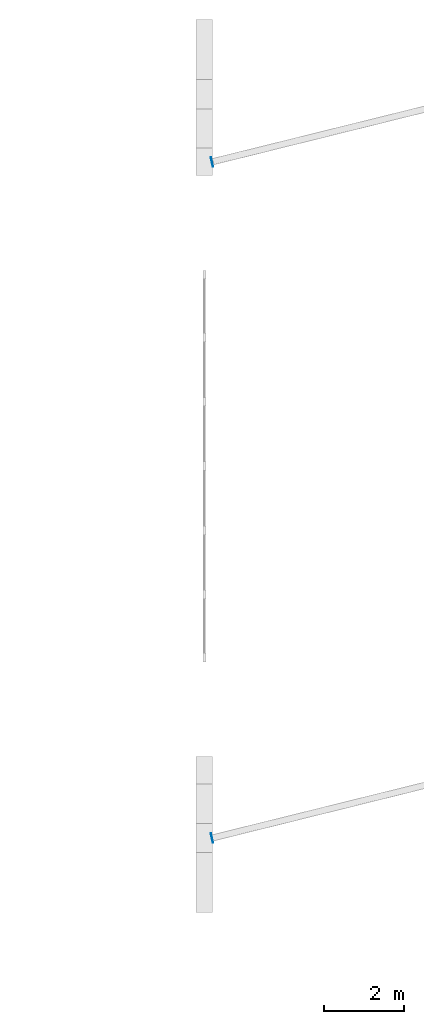
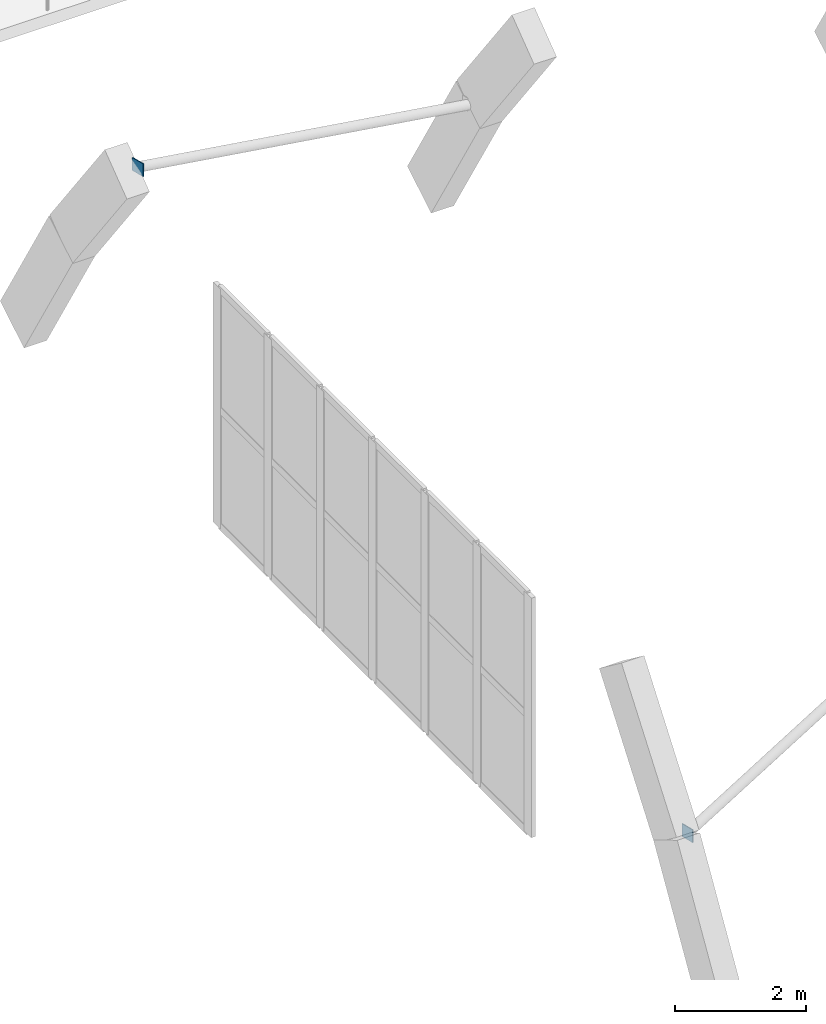
# One storey, part 42 of 85: 2 plates.
"""IFC4 building model written with IfcOpenShell, lengths in metres."""

from ifc_helpers import new_model, si_unit, direction, frame, origin, origin_2d, place, context, subcontext, project, spatial, rectangle, extrude, material, layer, layer_set, type_object, element, save


model = new_model("IFC4")

# Units and contexts
model_context = context("Model", 3, precision=1e-05, world=origin(), true_north=direction((0.0, 1.0)))
body_context = subcontext(model_context, "Body", "Model", "MODEL_VIEW")
ifc_project = project(units=[si_unit("LENGTHUNIT", "METRE"), si_unit("AREAUNIT", "SQUARE_METRE"), si_unit("VOLUMEUNIT", "CUBIC_METRE"), si_unit("PLANEANGLEUNIT", "RADIAN"), si_unit("MASSUNIT", "GRAM", prefix="KILO")], contexts=[model_context])

# Site, building, storey
site_placement = place(None, origin())
site = spatial("IfcSite", under=ifc_project, at=site_placement, CompositionType="ELEMENT")
building_placement = place(site_placement, origin())
building = spatial("IfcBuilding", under=site, at=building_placement, Name="Ochrevale Crest", CompositionType="ELEMENT")
storey_placement = place(building_placement, frame((0.0, 0.0, 4.5)))
storey = spatial("IfcBuildingStorey", under=building, at=storey_placement, Name="L01", CompositionType="ELEMENT", Elevation=4.5)

# Plates
ifc_material = material(Name="Steel S355", Category="steel")
ifc_layer = layer(ifc_material, 0.01611328125)
ifc_layer_set = layer_set([ifc_layer], Name="Steel S355")
plate_type = type_object("IfcPlateType", Name="PLT-CAP-16", PredefinedType="USERDEFINED", material=ifc_layer_set)
for number, where, z_axis, x_axis, name in (
    (1, (57.79248046875, 44.739013671875, 2.65185546875), (0.0, 0.0, 1.0), (0.970632567035, 0.240566871809, 0.0), "Community Hall vault CHS lateral brace B1-1 welded end cap plate CS"),
    (2, (57.79248046875, 61.572021484375, 4.8955078125), (0.0, 0.0, 1.0), (0.970632567035, 0.240566871809, 0.0), "Community Hall vault CHS lateral brace B1-8 welded end cap plate CS"),
):
    element("IfcPlate", number, at=place(storey_placement, frame(where, z_axis=z_axis, x_axis=x_axis)), inside=storey, type_object=plate_type, Name=name, ObjectType="CAP PLATE", PredefinedType="USERDEFINED", context=body_context, shape_type="SweptSolid", body=[
        extrude(rectangle(XDim=0.01611328125, YDim=0.239990234375, at=origin_2d()), origin(), (0.0, 0.0, 1.0), 0.239990234375),
    ])

save(model, "model.ifc")
